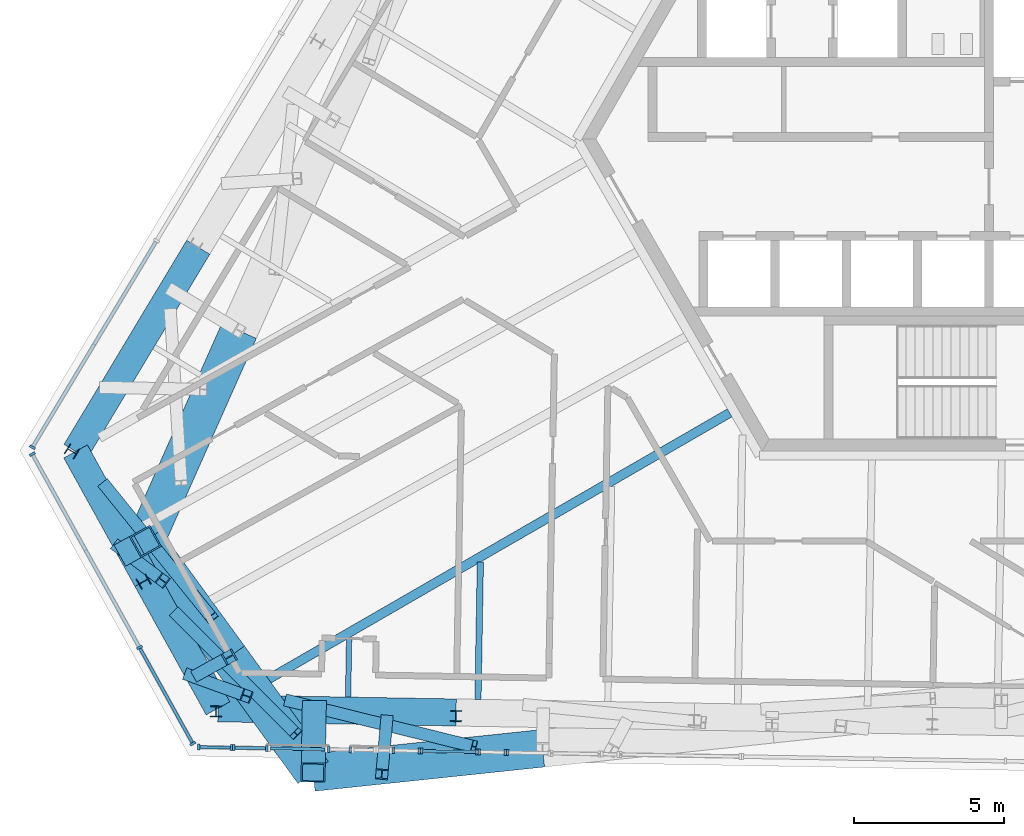
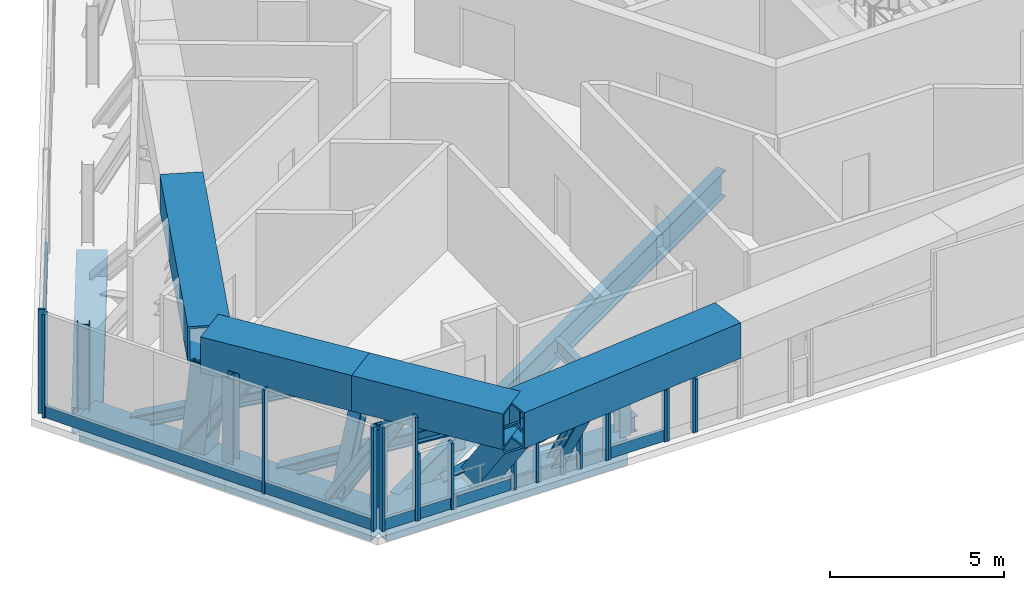
# One storey, part 1 of 28: 45 members, 3 beams, 10 elements without a shape of their own.
"""IFC4 building model written with IfcOpenShell, lengths in metres."""

from ifc_helpers import new_model, si_unit, direction, frame, origin, origin_2d, place, context, subcontext, project, spatial, rectangle, hollow_rectangle, i_section, extrude, source, transform, mapped, material, material_profile, profile_set, type_object, element, aggregate, save


model = new_model("IFC4")

# Units and contexts
model_context = context("Model", 3, precision=1e-05, world=origin(), true_north=direction((0.0, 1.0)))
body_context = subcontext(model_context, "Body", "Model", "MODEL_VIEW")
ifc_project = project(units=[si_unit("LENGTHUNIT", "METRE"), si_unit("AREAUNIT", "SQUARE_METRE"), si_unit("VOLUMEUNIT", "CUBIC_METRE"), si_unit("PLANEANGLEUNIT", "RADIAN"), si_unit("MASSUNIT", "GRAM", prefix="KILO")], contexts=[model_context])

# Site, building, storey
site_placement = place(None, origin())
site = spatial("IfcSite", under=ifc_project, at=site_placement, CompositionType="ELEMENT")
building_placement = place(site_placement, origin())
building = spatial("IfcBuilding", under=site, at=building_placement, Name="Triune Harvest Tower", CompositionType="ELEMENT")
storey_placement = place(building_placement, frame((0.0, 0.0, 215.89990234375)))
storey = spatial("IfcBuildingStorey", under=building, at=storey_placement, Name="L56", CompositionType="ELEMENT", Elevation=215.89990234375)

# Members
ifc_material_1 = material(Name="Steel ASTM A992 Gr 50", Category="steel")
ifc_material_profile_1 = material_profile(ifc_material_1, i_section(OverallWidth=0.40380859375, OverallDepth=0.406494140625, WebThickness=0.027099609375, FlangeThickness=0.043701171875, at=origin_2d()), Name="W14x233")
ifc_profile_set_1 = profile_set([ifc_material_profile_1], Name="Steel ASTM A992 Gr 50")
member_type_1 = type_object("IfcMemberType", Name="TD-3 Belt truss diagonal W14x233", PredefinedType="BRACE", material=ifc_profile_set_1)
member_1_placement = place(storey_placement, frame((-25.53271484375, -15.78271484375, -0.324951171875), z_axis=(0.636044185944, -0.63647025537, 0.436295092289), x_axis=(0.707343498442, 0.706869984659, 0.0)))
element("IfcMember", 1, at=member_1_placement, inside=storey, type_object=member_type_1, Name="truss/L56/TD31", PredefinedType="BRACE", context=body_context, shape_type="SweptSolid", body=[
    extrude(i_section(OverallWidth=0.40380859375, OverallDepth=0.406494140625, WebThickness=0.027099609375, FlangeThickness=0.043701171875, at=origin_2d()), origin(), (0.0, 0.0, 1.0), 6.302978515625),
])
member_2_placement = place(storey_placement, frame((-25.069580078125, -17.855712890625, -0.324951171875), z_axis=(0.557401052142, -0.202574324413, 0.805150737539), x_axis=(0.341568867282, 0.93985674914, 0.0)))
element("IfcMember", 2, at=member_2_placement, inside=storey, type_object=member_type_1, Name="truss/L56/TD32", PredefinedType="BRACE", context=body_context, shape_type="SweptSolid", body=[
    extrude(i_section(OverallWidth=0.40380859375, OverallDepth=0.406494140625, WebThickness=0.027099609375, FlangeThickness=0.043701171875, at=origin_2d()), origin(), (0.0, 0.0, 1.0), 3.41552734375),
])
member_3_placement = place(storey_placement, frame((-21.8076171875, -18.697265625, -0.324951171875), z_axis=(0.891912654923, -0.220313644793, 0.394909754129), x_axis=(0.239805016404, 0.970821072138, 0.0)))
element("IfcMember", 3, at=member_3_placement, inside=storey, type_object=member_type_1, Name="truss/L56/TD33", PredefinedType="BRACE", context=body_context, shape_type="SweptSolid", body=[
    extrude(i_section(OverallWidth=0.40380859375, OverallDepth=0.406494140625, WebThickness=0.027099609375, FlangeThickness=0.043701171875, at=origin_2d()), origin(), (0.0, 0.0, 1.0), 6.963623046875),
])

# Curtain wall, member
ifc_material_2 = material(Name="Aluminium bronze anodised", Category="aluminium")
curtain_wall_type = type_object("IfcCurtainWallType", Name="CW-5 Plant louvre wall", PredefinedType="NOTDEFINED", material=ifc_material_2)
curtain_wall_1_placement = place(storey_placement, origin())
curtain_wall_1 = element("IfcCurtainWall", 4, at=curtain_wall_1_placement, inside=storey, type_object=curtain_wall_type, Name="CW-5 B5-F4 L56 run 1")
ifc_material_3 = material(Name="Aluminium bronze anodised", Category="aluminium")
ifc_material_profile_2 = material_profile(ifc_material_3, rectangle(XDim=0.10009765625, YDim=0.39990234375, at=origin_2d()), Name="TR-5 transom 100 x 400")
ifc_profile_set_2 = profile_set([ifc_material_profile_2], Name="Aluminium bronze anodised")
member_type_2 = type_object("IfcMemberType", Name="TR-5 transom 100 x 400", PredefinedType="USERDEFINED", material=ifc_profile_set_2)
member_4_placement = place(storey_placement, frame((-26.708740234375, -16.9658203125, 0.2001953125), z_axis=(0.484832159919, -0.874607212815, 0.0), x_axis=(0.874607212815, 0.484832159919, 0.0)))
member_4 = element("IfcMember", 5, at=member_4_placement, type_object=member_type_2, Name="CW-5 transom B5-F4 1.2", ObjectType="TRANSOM", PredefinedType="USERDEFINED", context=body_context, shape_type="SweptSolid", body=[
    extrude(rectangle(XDim=0.10009765625, YDim=0.39990234375, at=origin_2d()), origin(), (0.0, 0.0, 1.0), 3.580322265625),
])

curtain_wall_2_placement = place(storey_placement, origin())
curtain_wall_2 = element("IfcCurtainWall", 6, at=curtain_wall_2_placement, inside=storey, type_object=curtain_wall_type, Name="CW-5 B5-F5 L56 run 1")
member_5_placement = place(storey_placement, frame((-24.720703125, -20.248779296875, 0.2001953125), z_axis=(0.99984960564, -0.017342609397, 0.0), x_axis=(0.017342609397, 0.99984960564, 0.0)))
member_5 = element("IfcMember", 7, at=member_5_placement, type_object=member_type_2, Name="CW-5 transom B5-F5 1.1", ObjectType="TRANSOM", PredefinedType="USERDEFINED", context=body_context, shape_type="SweptSolid", body=[
    extrude(rectangle(XDim=0.10009765625, YDim=0.39990234375, at=origin_2d()), origin(), (0.0, 0.0, 1.0), 1.013671875),
])

curtain_wall_3_placement = place(storey_placement, origin())
curtain_wall_3 = element("IfcCurtainWall", 8, at=curtain_wall_3_placement, inside=storey, type_object=curtain_wall_type, Name="CW-5 B5-F5 L56 run 101")
member_6_placement = place(storey_placement, frame((-23.54736328125, -20.269287109375, 0.2001953125), z_axis=(0.999849533169, -0.017346787081, 0.0), x_axis=(0.017346787081, 0.999849533169, 0.0)))
member_6 = element("IfcMember", 9, at=member_6_placement, type_object=member_type_2, Name="CW-5 transom B5-F5 101.1", ObjectType="TRANSOM", PredefinedType="USERDEFINED", context=body_context, shape_type="SweptSolid", body=[
    extrude(rectangle(XDim=0.10009765625, YDim=0.39990234375, at=origin_2d()), origin(), (0.0, 0.0, 1.0), 1.013427734375),
])

curtain_wall_4_placement = place(storey_placement, origin())
curtain_wall_4 = element("IfcCurtainWall", 10, at=curtain_wall_4_placement, inside=storey, type_object=curtain_wall_type, Name="CW-5 B5-F5 L56 run 201")
member_7_placement = place(storey_placement, frame((-22.3740234375, -20.289794921875, 0.2001953125), z_axis=(0.999847871037, -0.017442327326, 0.0), x_axis=(0.017442327326, 0.999847871037, 0.0)))
member_7 = element("IfcMember", 11, at=member_7_placement, type_object=member_type_2, Name="CW-5 transom B5-F5 201.1", ObjectType="TRANSOM", PredefinedType="USERDEFINED", context=body_context, shape_type="SweptSolid", body=[
    extrude(rectangle(XDim=0.10009765625, YDim=0.39990234375, at=origin_2d()), origin(), (0.0, 0.0, 1.0), 1.819580078125),
])
aggregate(curtain_wall_4, [member_7])

# Beams
ifc_material_4 = material(Name="Steel ASTM A992 Gr 50", Category="steel")
ifc_material_profile_3 = material_profile(ifc_material_4, i_section(OverallWidth=0.307373046875, OverallDepth=0.922119140625, WebThickness=0.018310546875, FlangeThickness=0.030029296875, at=origin_2d()), Name="W36x182")
ifc_profile_set_3 = profile_set([ifc_material_profile_3], Name="Steel ASTM A992 Gr 50")
beam_type_1 = type_object("IfcBeamType", Name="HG-2 Hip girder W36x182", PredefinedType="BEAM", material=ifc_profile_set_3)
shared_shape_1 = source(origin(), body_context, "Body", "SweptSolid", [
    extrude(i_section(OverallWidth=0.307373046875, OverallDepth=0.922119140625, WebThickness=0.018310546875, FlangeThickness=0.030029296875, at=origin_2d()), origin(), (0.0, 0.0, 1.0), 18.79296875),
])
beam_1_placement = place(storey_placement, frame((-23.359619140625, -18.52001953125, -0.7109375), z_axis=(0.86602484685, 0.500000964637, 0.0), x_axis=(-0.500000964637, 0.86602484685, 0.0)))
element("IfcBeam", 12, at=beam_1_placement, inside=storey, type_object=beam_type_1, Name="beam/L56/HG7", PredefinedType="BEAM", context=body_context, shape_type="MappedRepresentation", body=[
    mapped(shared_shape_1, transform((0.0, 0.0, 0.0), scale=1.0)),
])
ifc_material_5 = material(Name="Steel ASTM A992 Gr 50", Category="steel")
ifc_material_profile_4 = material_profile(ifc_material_5, i_section(OverallWidth=0.180908203125, OverallDepth=0.41650390625, WebThickness=0.010986328125, FlangeThickness=0.01806640625, at=origin_2d()), Name="W16x57")
ifc_profile_set_4 = profile_set([ifc_material_profile_4], Name="Steel ASTM A992 Gr 50")
beam_type_2 = type_object("IfcBeamType", Name="JT-1 Floor joist W16x57", PredefinedType="JOIST", material=ifc_profile_set_4)
shared_shape_2 = source(origin(), body_context, "Body", "SweptSolid", [
    extrude(i_section(OverallWidth=0.180908203125, OverallDepth=0.41650390625, WebThickness=0.010986328125, FlangeThickness=0.01806640625, at=origin_2d()), origin(), (0.0, 0.0, 1.0), 1.96875),
])
beam_2_placement = place(storey_placement, frame((-19.78515625, -18.58251953125, -0.458251953125), z_axis=(0.017484614371, 0.999847132446, 0.0), x_axis=(-0.999847132446, 0.017484614371, 0.0)))
element("IfcBeam", 13, at=beam_2_placement, inside=storey, type_object=beam_type_2, Name="beam/L56/JT25", PredefinedType="JOIST", context=body_context, shape_type="MappedRepresentation", body=[
    mapped(shared_shape_2, transform((0.0, 0.0, 0.0), scale=1.0)),
])
ifc_material_6 = material(Name="Steel ASTM A992 Gr 50", Category="steel")
ifc_material_profile_5 = material_profile(ifc_material_6, i_section(OverallWidth=0.2099609375, OverallDepth=0.535888671875, WebThickness=0.010986328125, FlangeThickness=0.017333984375, at=origin_2d()), Name="W21x68")
ifc_profile_set_5 = profile_set([ifc_material_profile_5], Name="Steel ASTM A992 Gr 50")
beam_type_3 = type_object("IfcBeamType", Name="JT-2 Floor joist W21x68", PredefinedType="JOIST", material=ifc_profile_set_5)
shared_shape_3 = source(origin(), body_context, "Body", "SweptSolid", [
    extrude(i_section(OverallWidth=0.2099609375, OverallDepth=0.535888671875, WebThickness=0.010986328125, FlangeThickness=0.017333984375, at=origin_2d()), origin(), (0.0, 0.0, 1.0), 4.56689453125),
])
beam_3_placement = place(storey_placement, frame((-15.4619140625, -18.657958984375, -0.517822265625), z_axis=(0.017481154472, 0.999847192944, 0.0), x_axis=(-0.999847192944, 0.017481154472, 0.0)))
element("IfcBeam", 14, at=beam_3_placement, inside=storey, type_object=beam_type_3, Name="beam/L56/JT26", PredefinedType="JOIST", context=body_context, shape_type="MappedRepresentation", body=[
    mapped(shared_shape_3, transform((0.0, 0.0, 0.0), scale=1.0)),
])

# Members
ifc_material_7 = material(Name="Steel ASTM A992 Gr 50", Category="steel")
ifc_material_profile_6 = material_profile(ifc_material_7, i_section(OverallWidth=0.370849609375, OverallDepth=0.36328125, WebThickness=0.013427734375, FlangeThickness=0.021728515625, at=origin_2d()), Name="W14x109")
ifc_profile_set_6 = profile_set([ifc_material_profile_6], Name="Steel ASTM A992 Gr 50")
member_type_3 = type_object("IfcMemberType", Name="WP-5 Roof edge post W14x109", PredefinedType="POST", material=ifc_profile_set_6)
shared_shape_4 = source(origin(), body_context, "Body", "SweptSolid", [
    extrude(i_section(OverallWidth=0.370849609375, OverallDepth=0.36328125, WebThickness=0.013427734375, FlangeThickness=0.021728515625, at=origin_2d()), origin(), (0.0, 0.0, 1.0), 2.9755859375),
])
for number, where, z_axis, x_axis, name in (
    (15, (-28.97607421875, -10.404052734375, -0.25), (0.0, 0.0, 1.0), (-0.51503657887, -0.857168199612, 0.0), "post/L56/W14"),
    (16, (-26.591064453125, -14.73974609375, -0.25), (0.0, 0.0, 1.0), (0.484808093746, -0.87462055329, 0.0), "post/L56/W15"),
    (17, (-24.177978515625, -19.059814453125, -0.25), (0.0, 0.0, 1.0), (0.999847695156, -0.017452406437, 0.0), "post/L56/W16"),
    (18, (-16.1923828125, -19.21533203125, -0.25), (0.0, 0.0, 1.0), (0.999847695156, -0.017452406437, 0.0), "post/L56/W17"),
):
    element("IfcMember", number, at=place(storey_placement, frame(where, z_axis=z_axis, x_axis=x_axis)), inside=storey, type_object=member_type_3, Name=name, PredefinedType="POST", context=body_context, shape_type="MappedRepresentation", body=[
        mapped(shared_shape_4, transform((0.0, 0.0, 0.0), scale=1.0)),
    ])
ifc_material_8 = material(Name="Steel ASTM A572 Gr 50", Category="steel")
ifc_material_profile_7 = material_profile(ifc_material_8, hollow_rectangle(XDim=0.89990234375, YDim=0.89990234375, WallThickness=0.050048828125, at=origin_2d()), Name="Box 900x900x50")
ifc_profile_set_7 = profile_set([ifc_material_profile_7], Name="Steel ASTM A572 Gr 50")
member_type_4 = type_object("IfcMemberType", Name="TC-2 Belt truss chord Box 900x900x50", PredefinedType="CHORD", material=ifc_profile_set_7)
shared_shape_5 = source(origin(), body_context, "Body", "SweptSolid", [
    extrude(hollow_rectangle(XDim=0.89990234375, YDim=0.89990234375, WallThickness=0.050048828125, at=origin_2d()), origin(), (0.0, 0.0, 1.0), 7.92724609375),
])
for number, where, z_axis, x_axis, name in (
    (19, (-24.773193359375, -3.611083984375, -0.699951171875), (-0.515034618449, -0.857169377544, 0.0), (0.857169377544, -0.515034618449, 0.0), "truss/L56/TCB14"),
    (20, (-24.1162109375, -18.956787109375, -0.699951171875), (0.999847522428, -0.017462299252, 0.0), (0.017462299252, 0.999847522428, 0.0), "truss/L56/TCB17"),
):
    element("IfcMember", number, at=place(storey_placement, frame(where, z_axis=z_axis, x_axis=x_axis)), inside=storey, type_object=member_type_4, Name=name, PredefinedType="CHORD", context=body_context, shape_type="MappedRepresentation", body=[
        mapped(shared_shape_5, transform((0.0, 0.0, 0.0), scale=1.0)),
    ])
shared_shape_6 = source(origin(), body_context, "Body", "SweptSolid", [
    extrude(hollow_rectangle(XDim=0.89990234375, YDim=0.89990234375, WallThickness=0.050048828125, at=origin_2d()), origin(), (0.0, 0.0, 1.0), 4.88818359375),
])
for number, where, z_axis, x_axis, name in (
    (21, (-28.85595703125, -10.406005859375, -0.699951171875), (0.484807323766, -0.874620980095, 0.0), (0.874620980095, 0.484807323766, 0.0), "truss/L56/TCB15"),
    (22, (-26.486083984375, -14.681396484375, -0.699951171875), (0.484807323766, -0.874620980095, 0.0), (0.874620980095, 0.484807323766, 0.0), "truss/L56/TCB16"),
):
    element("IfcMember", number, at=place(storey_placement, frame(where, z_axis=z_axis, x_axis=x_axis)), inside=storey, type_object=member_type_4, Name=name, PredefinedType="CHORD", context=body_context, shape_type="MappedRepresentation", body=[
        mapped(shared_shape_6, transform((0.0, 0.0, 0.0), scale=1.0)),
    ])
ifc_material_9 = material(Name="Steel ASTM A572 Gr 50", Category="steel")
ifc_material_profile_8 = material_profile(ifc_material_9, hollow_rectangle(XDim=1.25, YDim=1.25, WallThickness=0.070068359375, at=origin_2d()), Name="Box 1250x1250x70")
ifc_profile_set_8 = profile_set([ifc_material_profile_8], Name="Steel ASTM A572 Gr 50")
member_type_5 = type_object("IfcMemberType", Name="TC-1 Belt truss chord Box 1250x1250x70", PredefinedType="CHORD", material=ifc_profile_set_8)
shared_shape_7 = source(origin(), body_context, "Body", "SweptSolid", [
    extrude(hollow_rectangle(XDim=1.25, YDim=1.25, WallThickness=0.070068359375, at=origin_2d()), origin(), (0.0, 0.0, 1.0), 7.679443359375),
])
for number, where, z_axis, x_axis, name in (
    (23, (-23.41064453125, -6.389404296875, 3.01513671875), (-0.406746028315, -0.913541279007, 0.0), (0.913541279007, -0.406746028315, 0.0), "truss/L56/TCT14"),
    (24, (-20.9482421875, -21.09326171875, 3.01513671875), (0.994521815363, 0.104529224464, 0.0), (-0.104529224464, 0.994521815363, 0.0), "truss/L56/TCT17"),
):
    element("IfcMember", number, at=place(storey_placement, frame(where, z_axis=z_axis, x_axis=x_axis)), inside=storey, type_object=member_type_5, Name=name, PredefinedType="CHORD", context=body_context, shape_type="MappedRepresentation", body=[
        mapped(shared_shape_7, transform((0.0, 0.0, 0.0), scale=1.0)),
    ])
shared_shape_8 = source(origin(), body_context, "Body", "SweptSolid", [
    extrude(hollow_rectangle(XDim=1.25, YDim=1.25, WallThickness=0.070068359375, at=origin_2d()), origin(), (0.0, 0.0, 1.0), 4.751708984375),
])
for number, where, z_axis, x_axis, name in (
    (25, (-26.5341796875, -13.40478515625, 3.01513671875), (0.587780589859, -0.809020381811, 0.0), (0.809020381811, 0.587780589859, 0.0), "truss/L56/TCT15"),
    (26, (-23.7412109375, -17.2490234375, 3.01513671875), (0.587780589859, -0.809020381811, 0.0), (0.809020381811, 0.587780589859, 0.0), "truss/L56/TCT16"),
):
    element("IfcMember", number, at=place(storey_placement, frame(where, z_axis=z_axis, x_axis=x_axis)), inside=storey, type_object=member_type_5, Name=name, PredefinedType="CHORD", context=body_context, shape_type="MappedRepresentation", body=[
        mapped(shared_shape_8, transform((0.0, 0.0, 0.0), scale=1.0)),
    ])
ifc_material_10 = material(Name="Steel ASTM A572 Gr 50", Category="steel")
ifc_material_profile_9 = material_profile(ifc_material_10, hollow_rectangle(XDim=0.800048828125, YDim=0.800048828125, WallThickness=0.050048828125, at=origin_2d()), Name="Box 800x800x50")
ifc_profile_set_9 = profile_set([ifc_material_profile_9], Name="Steel ASTM A572 Gr 50")
member_type_6 = type_object("IfcMemberType", Name="TS-2 Belt truss raked strut Box 800x800x50", PredefinedType="STRUT", material=ifc_profile_set_9)
shared_shape_9 = source(origin(), body_context, "Body", "SweptSolid", [
    extrude(hollow_rectangle(XDim=0.800048828125, YDim=0.800048828125, WallThickness=0.050048828125, at=origin_2d()), origin(), (0.0, 0.0, 1.0), 3.40869140625),
])
member_8_placement = place(storey_placement, frame((-20.911865234375, -19.012939453125, -0.27490234375), z_axis=(-0.010671996546, -0.610309279002, 0.792091340979), x_axis=(0.999847151272, -0.017483537794, 0.0)))
element("IfcMember", 27, at=member_8_placement, inside=storey, type_object=member_type_6, Name="truss/L56/TS17", PredefinedType="STRUT", context=body_context, shape_type="MappedRepresentation", body=[
    mapped(shared_shape_9, transform((0.0, 0.0, 0.0), scale=1.0)),
])
shared_shape_10 = source(origin(), body_context, "Body", "SweptSolid", [
    extrude(hollow_rectangle(XDim=0.800048828125, YDim=0.800048828125, WallThickness=0.050048828125, at=origin_2d()), origin(), (0.0, 0.0, 1.0), 2.760986328125),
])
member_9_placement = place(storey_placement, frame((-27.038818359375, -13.6845703125, -0.27490234375), z_axis=(0.182779207999, 0.101337674101, 0.977917397806), x_axis=(-0.484888330565, 0.874576072667, 0.0)))
element("IfcMember", 28, at=member_9_placement, inside=storey, type_object=member_type_6, Name="truss/L56/TS15", PredefinedType="STRUT", context=body_context, shape_type="MappedRepresentation", body=[
    mapped(shared_shape_10, transform((0.0, 0.0, 0.0), scale=1.0)),
])
ifc_material_11 = material(Name="Steel ASTM A992 Gr 50", Category="steel")
ifc_material_profile_10 = material_profile(ifc_material_11, i_section(OverallWidth=0.411376953125, OverallDepth=0.434326171875, WebThickness=0.035888671875, FlangeThickness=0.057373046875, at=origin_2d()), Name="W14x311")
ifc_profile_set_10 = profile_set([ifc_material_profile_10], Name="Steel ASTM A992 Gr 50")
member_type_7 = type_object("IfcMemberType", Name="TV-1 Belt truss strut W14x311", PredefinedType="STRUT", material=ifc_profile_set_10)
shared_shape_11 = source(origin(), body_context, "Body", "SweptSolid", [
    extrude(i_section(OverallWidth=0.411376953125, OverallDepth=0.434326171875, WebThickness=0.035888671875, FlangeThickness=0.057373046875, at=origin_2d()), origin(), (0.0, 0.0, 1.0), 2.93701171875),
])
member_10_placement = place(storey_placement, frame((-24.752197265625, -17.809326171875, -0.27490234375), z_axis=(0.344228143667, 0.19077604195, 0.919299454435), x_axis=(-0.484745994228, 0.874654972592, 0.0)))
element("IfcMember", 29, at=member_10_placement, inside=storey, type_object=member_type_7, Name="truss/L56/TS16", PredefinedType="STRUT", context=body_context, shape_type="MappedRepresentation", body=[
    mapped(shared_shape_11, transform((0.0, 0.0, 0.0), scale=1.0)),
])
shared_shape_12 = source(origin(), body_context, "Body", "SweptSolid", [
    extrude(i_section(OverallWidth=0.40380859375, OverallDepth=0.406494140625, WebThickness=0.027099609375, FlangeThickness=0.043701171875, at=origin_2d()), origin(), (0.0, 0.0, 1.0), 3.289306640625),
])
member_11_placement = place(storey_placement, frame((-18.498779296875, -19.35498046875, -0.324951171875), z_axis=(-0.049654513507, -0.546422314562, 0.836036532358), x_axis=(0.995896532237, -0.09049915513, 0.0)))
element("IfcMember", 30, at=member_11_placement, inside=storey, type_object=member_type_1, Name="truss/L56/TD34", PredefinedType="BRACE", context=body_context, shape_type="MappedRepresentation", body=[
    mapped(shared_shape_12, transform((0.0, 0.0, 0.0), scale=1.0)),
])
shared_shape_13 = source(origin(), body_context, "Body", "SweptSolid", [
    extrude(i_section(OverallWidth=0.40380859375, OverallDepth=0.406494140625, WebThickness=0.027099609375, FlangeThickness=0.043701171875, at=origin_2d()), origin(), (0.0, 0.0, 1.0), 6.337158203125),
])
member_12_placement = place(storey_placement, frame((-27.902587890625, -11.50732421875, -0.324951171875), z_axis=(0.565852036018, -0.70107402992, 0.433943173591), x_axis=(0.778158190947, 0.628068332159, 0.0)))
element("IfcMember", 31, at=member_12_placement, inside=storey, type_object=member_type_1, Name="truss/L56/TD29", PredefinedType="BRACE", context=body_context, shape_type="MappedRepresentation", body=[
    mapped(shared_shape_13, transform((0.0, 0.0, 0.0), scale=1.0)),
])
shared_shape_14 = source(origin(), body_context, "Body", "SweptSolid", [
    extrude(i_section(OverallWidth=0.40380859375, OverallDepth=0.406494140625, WebThickness=0.027099609375, FlangeThickness=0.043701171875, at=origin_2d()), origin(), (0.0, 0.0, 1.0), 3.3193359375),
])
member_13_placement = place(storey_placement, frame((-27.439697265625, -13.580078125, -0.324951171875), z_axis=(0.446159139044, -0.338480771164, 0.828476185656), x_axis=(0.604403728246, 0.796678186775, 0.0)))
element("IfcMember", 32, at=member_13_placement, inside=storey, type_object=member_type_1, Name="truss/L56/TD30", PredefinedType="BRACE", context=body_context, shape_type="MappedRepresentation", body=[
    mapped(shared_shape_14, transform((0.0, 0.0, 0.0), scale=1.0)),
])

# Curtain wall, member
curtain_wall_5_placement = place(storey_placement, origin())
curtain_wall_5 = element("IfcCurtainWall", 33, at=curtain_wall_5_placement, inside=storey, type_object=curtain_wall_type, Name="CW-5 B5-F3 L56 run 1201")
ifc_material_12 = material(Name="Aluminium bronze anodised", Category="aluminium")
ifc_material_profile_11 = material_profile(ifc_material_12, rectangle(XDim=0.199951171875, YDim=0.080078125, at=origin_2d()), Name="MU-5 mullion 80 x 200")
ifc_profile_set_11 = profile_set([ifc_material_profile_11], Name="Aluminium bronze anodised")
member_type_8 = type_object("IfcMemberType", Name="MU-5 mullion 80 x 200", PredefinedType="MULLION", material=ifc_profile_set_11)
shared_shape_15 = source(origin(), body_context, "Body", "SweptSolid", [
    extrude(rectangle(XDim=0.199951171875, YDim=0.080078125, at=origin_2d()), origin(), (0.0, 0.0, 1.0), 3.64013671875),
])
member_14_placement = place(storey_placement, frame((-30.292236328125, -10.268310546875, 0.0), z_axis=(0.0, 0.0, 1.0), x_axis=(0.857169585878, -0.515034271719, 0.0)))
member_14 = element("IfcMember", 34, at=member_14_placement, type_object=member_type_8, Name="CW-5 mullion B5-F3 1201.9", PredefinedType="MULLION", context=body_context, shape_type="MappedRepresentation", body=[
    mapped(shared_shape_15, transform((0.0, 0.0, 0.0), scale=1.0)),
])

# Member
member_15_placement = place(storey_placement, frame((-30.29638671875, -10.493408203125, 0.0), z_axis=(0.0, 0.0, 1.0), x_axis=(0.874623958582, 0.484801950362, 0.0)))
member_15 = element("IfcMember", 35, at=member_15_placement, type_object=member_type_8, Name="CW-5 mullion B5-F4 1.1", PredefinedType="MULLION", context=body_context, shape_type="MappedRepresentation", body=[
    mapped(shared_shape_15, transform((0.0, 0.0, 0.0), scale=1.0)),
])

member_16_placement = place(storey_placement, frame((-26.72802734375, -16.930908203125, 0.0), z_axis=(0.0, 0.0, 1.0), x_axis=(0.874623958582, 0.484801950362, 0.0)))
member_16 = element("IfcMember", 36, at=member_16_placement, type_object=member_type_8, Name="CW-5 mullion B5-F4 1.3", PredefinedType="MULLION", context=body_context, shape_type="MappedRepresentation", body=[
    mapped(shared_shape_15, transform((0.0, 0.0, 0.0), scale=1.0)),
])

member_17_placement = place(storey_placement, frame((-24.95361328125, -20.132080078125, 0.0), z_axis=(0.0, 0.0, 1.0), x_axis=(0.874623958582, 0.484801950362, 0.0)))
member_17 = element("IfcMember", 37, at=member_17_placement, type_object=member_type_8, Name="CW-5 mullion B5-F4 1.4", PredefinedType="MULLION", context=body_context, shape_type="MappedRepresentation", body=[
    mapped(shared_shape_15, transform((0.0, 0.0, 0.0), scale=1.0)),
])

member_18_placement = place(storey_placement, frame((-24.760498046875, -20.248046875, 0.0), z_axis=(0.0, 0.0, 1.0), x_axis=(0.017384230137, 0.999848882853, 0.0)))
member_18 = element("IfcMember", 38, at=member_18_placement, type_object=member_type_8, Name="CW-5 mullion B5-F5 1.1", PredefinedType="MULLION", context=body_context, shape_type="MappedRepresentation", body=[
    mapped(shared_shape_15, transform((0.0, 0.0, 0.0), scale=1.0)),
])

member_19_placement = place(storey_placement, frame((-23.667236328125, -20.26708984375, 0.0), z_axis=(0.0, 0.0, 1.0), x_axis=(0.017384230137, 0.999848882853, 0.0)))
member_19 = element("IfcMember", 39, at=member_19_placement, type_object=member_type_8, Name="CW-5 mullion B5-F5 1.2", PredefinedType="MULLION", context=body_context, shape_type="MappedRepresentation", body=[
    mapped(shared_shape_15, transform((0.0, 0.0, 0.0), scale=1.0)),
])

aggregate(curtain_wall_2, [member_18, member_19, member_5])

shared_shape_16 = source(origin(), body_context, "Body", "SweptSolid", [
    extrude(rectangle(XDim=0.199951171875, YDim=0.080078125, at=origin_2d()), origin(), (0.0, 0.0, 1.0), 2.330078125),
])
member_20_placement = place(storey_placement, frame((-23.58740234375, -20.2685546875, 0.0), z_axis=(0.0, 0.0, 1.0), x_axis=(0.017470909586, 0.999847372011, 0.0)))
member_20 = element("IfcMember", 40, at=member_20_placement, type_object=member_type_8, Name="CW-5 mullion B5-F5 101.1", PredefinedType="MULLION", context=body_context, shape_type="MappedRepresentation", body=[
    mapped(shared_shape_16, transform((0.0, 0.0, 0.0), scale=1.0)),
])

member_21_placement = place(storey_placement, frame((-22.494140625, -20.28759765625, 0.0), z_axis=(0.0, 0.0, 1.0), x_axis=(0.017470909586, 0.999847372011, 0.0)))
member_21 = element("IfcMember", 41, at=member_21_placement, type_object=member_type_8, Name="CW-5 mullion B5-F5 101.2", PredefinedType="MULLION", context=body_context, shape_type="MappedRepresentation", body=[
    mapped(shared_shape_16, transform((0.0, 0.0, 0.0), scale=1.0)),
])

aggregate(curtain_wall_3, [member_20, member_21, member_6])

# Curtain wall, members
curtain_wall_6_placement = place(storey_placement, origin())
curtain_wall_6 = element("IfcCurtainWall", 42, at=curtain_wall_6_placement, inside=storey, type_object=curtain_wall_type, Name="CW-5 B5-F5 L56 run 301")
member_22_placement = place(storey_placement, frame((-20.434814453125, -20.323486328125, 0.0), z_axis=(0.0, 0.0, 1.0), x_axis=(0.017458638966, 0.999847586348, 0.0)))
member_22 = element("IfcMember", 43, at=member_22_placement, type_object=member_type_8, Name="CW-5 mullion B5-F5 301.1", PredefinedType="MULLION", context=body_context, shape_type="MappedRepresentation", body=[
    mapped(shared_shape_16, transform((0.0, 0.0, 0.0), scale=1.0)),
])
member_23_placement = place(storey_placement, frame((-19.707275390625, -20.336181640625, 0.0), z_axis=(0.0, 0.0, 1.0), x_axis=(0.017458638966, 0.999847586348, 0.0)))
member_23 = element("IfcMember", 44, at=member_23_placement, type_object=member_type_8, Name="CW-5 mullion B5-F5 301.2", PredefinedType="MULLION", context=body_context, shape_type="MappedRepresentation", body=[
    mapped(shared_shape_16, transform((0.0, 0.0, 0.0), scale=1.0)),
])
aggregate(curtain_wall_6, [member_22, member_23])

curtain_wall_7_placement = place(storey_placement, origin())
curtain_wall_7 = element("IfcCurtainWall", 45, at=curtain_wall_7_placement, inside=storey, type_object=curtain_wall_type, Name="CW-5 B5-F5 L56 run 601")
member_24_placement = place(storey_placement, frame((-18.27978515625, -20.361083984375, 0.0), z_axis=(0.0, 0.0, 1.0), x_axis=(0.017446009191, 0.9998478068, 0.0)))
member_24 = element("IfcMember", 46, at=member_24_placement, type_object=member_type_8, Name="CW-5 mullion B5-F5 601.1", PredefinedType="MULLION", context=body_context, shape_type="MappedRepresentation", body=[
    mapped(shared_shape_16, transform((0.0, 0.0, 0.0), scale=1.0)),
])
member_25_placement = place(storey_placement, frame((-17.419921875, -20.376220703125, 0.0), z_axis=(0.0, 0.0, 1.0), x_axis=(0.017446009191, 0.9998478068, 0.0)))
member_25 = element("IfcMember", 47, at=member_25_placement, type_object=member_type_8, Name="CW-5 mullion B5-F5 601.2", PredefinedType="MULLION", context=body_context, shape_type="MappedRepresentation", body=[
    mapped(shared_shape_16, transform((0.0, 0.0, 0.0), scale=1.0)),
])
aggregate(curtain_wall_7, [member_24, member_25])

curtain_wall_8_placement = place(storey_placement, origin())
curtain_wall_8 = element("IfcCurtainWall", 48, at=curtain_wall_8_placement, inside=storey, type_object=curtain_wall_type, Name="CW-5 B5-F5 L56 run 801")
member_26_placement = place(storey_placement, frame((-15.414306640625, -20.4111328125, 0.0), z_axis=(0.0, 0.0, 1.0), x_axis=(0.017490657325, 0.999847026753, 0.0)))
member_26 = element("IfcMember", 49, at=member_26_placement, type_object=member_type_8, Name="CW-5 mullion B5-F5 801.1", PredefinedType="MULLION", context=body_context, shape_type="MappedRepresentation", body=[
    mapped(shared_shape_16, transform((0.0, 0.0, 0.0), scale=1.0)),
])
member_27_placement = place(storey_placement, frame((-14.556640625, -20.42626953125, 0.0), z_axis=(0.0, 0.0, 1.0), x_axis=(0.017490657325, 0.999847026753, 0.0)))
member_27 = element("IfcMember", 50, at=member_27_placement, type_object=member_type_8, Name="CW-5 mullion B5-F5 801.2", PredefinedType="MULLION", context=body_context, shape_type="MappedRepresentation", body=[
    mapped(shared_shape_16, transform((0.0, 0.0, 0.0), scale=1.0)),
])
aggregate(curtain_wall_8, [member_26, member_27])

curtain_wall_9_placement = place(storey_placement, origin())
curtain_wall_9 = element("IfcCurtainWall", 51, at=curtain_wall_9_placement, inside=storey, type_object=curtain_wall_type, Name="CW-5 B5-F5 L56 run 701")
shared_shape_17 = source(origin(), body_context, "Body", "SweptSolid", [
    extrude(rectangle(XDim=0.199951171875, YDim=0.080078125, at=origin_2d()), origin(), (0.0, 0.0, 1.0), 1.793701171875),
])
member_28_placement = place(storey_placement, frame((-17.340087890625, -20.377685546875, 0.0), z_axis=(0.0, 0.0, 1.0), x_axis=(0.017444639683, 0.999847830695, 0.0)))
member_28 = element("IfcMember", 52, at=member_28_placement, type_object=member_type_8, Name="CW-5 mullion B5-F5 701.1", PredefinedType="MULLION", context=body_context, shape_type="MappedRepresentation", body=[
    mapped(shared_shape_17, transform((0.0, 0.0, 0.0), scale=1.0)),
])
member_29_placement = place(storey_placement, frame((-15.494140625, -20.409912109375, 0.0), z_axis=(0.0, 0.0, 1.0), x_axis=(0.017444639683, 0.999847830695, 0.0)))
member_29 = element("IfcMember", 53, at=member_29_placement, type_object=member_type_8, Name="CW-5 mullion B5-F5 701.2", PredefinedType="MULLION", context=body_context, shape_type="MappedRepresentation", body=[
    mapped(shared_shape_17, transform((0.0, 0.0, 0.0), scale=1.0)),
])
shared_shape_18 = source(origin(), body_context, "Body", "SweptSolid", [
    extrude(rectangle(XDim=0.10009765625, YDim=0.39990234375, at=origin_2d()), origin(), (0.0, 0.0, 1.0), 1.76611328125),
])
member_30_placement = place(storey_placement, frame((-17.300048828125, -20.378173828125, 0.2001953125), z_axis=(0.999845886703, -0.017555706845, 0.0), x_axis=(0.017555706845, 0.999845886703, 0.0)))
member_30 = element("IfcMember", 54, at=member_30_placement, type_object=member_type_2, Name="CW-5 transom B5-F5 701.1", ObjectType="TRANSOM", PredefinedType="USERDEFINED", context=body_context, shape_type="MappedRepresentation", body=[
    mapped(shared_shape_18, transform((0.0, 0.0, 0.0), scale=1.0)),
])
aggregate(curtain_wall_9, [member_28, member_29, member_30])

# Member
shared_shape_19 = source(origin(), body_context, "Body", "SweptSolid", [
    extrude(rectangle(XDim=0.10009765625, YDim=0.39990234375, at=origin_2d()), origin(), (0.0, 0.0, 1.0), 7.2802734375),
])
member_31_placement = place(storey_placement, frame((-30.27685546875, -10.528564453125, 0.2001953125), z_axis=(0.484811303808, -0.874618773924, 0.0), x_axis=(0.874618773924, 0.484811303808, 0.0)))
member_31 = element("IfcMember", 55, at=member_31_placement, type_object=member_type_2, Name="CW-5 transom B5-F4 1.1", ObjectType="TRANSOM", PredefinedType="USERDEFINED", context=body_context, shape_type="MappedRepresentation", body=[
    mapped(shared_shape_19, transform((0.0, 0.0, 0.0), scale=1.0)),
])

aggregate(curtain_wall_1, [member_15, member_16, member_17, member_31, member_4])

# Curtain wall, member
curtain_wall_10_placement = place(storey_placement, origin())
curtain_wall_10 = element("IfcCurtainWall", 56, at=curtain_wall_10_placement, inside=storey, type_object=curtain_wall_type, Name="CW-5 B5-F5 L56 run 901")
shared_shape_20 = source(origin(), body_context, "Body", "SweptSolid", [
    extrude(rectangle(XDim=0.199951171875, YDim=0.080078125, at=origin_2d()), origin(), (0.0, 0.0, 1.0), 1.850341796875),
])
member_32_placement = place(storey_placement, frame((-14.476806640625, -20.427490234375, 0.0), z_axis=(0.0, 0.0, 1.0), x_axis=(0.017425361211, 0.999848166867, 0.0)))
member_32 = element("IfcMember", 57, at=member_32_placement, type_object=member_type_8, Name="CW-5 mullion B5-F5 901.1", PredefinedType="MULLION", context=body_context, shape_type="MappedRepresentation", body=[
    mapped(shared_shape_20, transform((0.0, 0.0, 0.0), scale=1.0)),
])
aggregate(curtain_wall_10, [member_32])

# Member
shared_shape_21 = source(origin(), body_context, "Body", "SweptSolid", [
    extrude(rectangle(XDim=0.10009765625, YDim=0.39990234375, at=origin_2d()), origin(), (0.0, 0.0, 1.0), 7.941162109375),
])
member_33_placement = place(storey_placement, frame((-26.181640625, -3.42724609375, 0.2001953125), z_axis=(-0.515047225014, -0.857161802699, 0.0), x_axis=(0.857161802699, -0.515047225014, 0.0)))
member_33 = element("IfcMember", 58, at=member_33_placement, type_object=member_type_2, Name="CW-5 transom B5-F3 1201.4", ObjectType="TRANSOM", PredefinedType="USERDEFINED", context=body_context, shape_type="MappedRepresentation", body=[
    mapped(shared_shape_21, transform((0.0, 0.0, 0.0), scale=1.0)),
])

aggregate(curtain_wall_5, [member_14, member_33])

save(model, "model.ifc")
